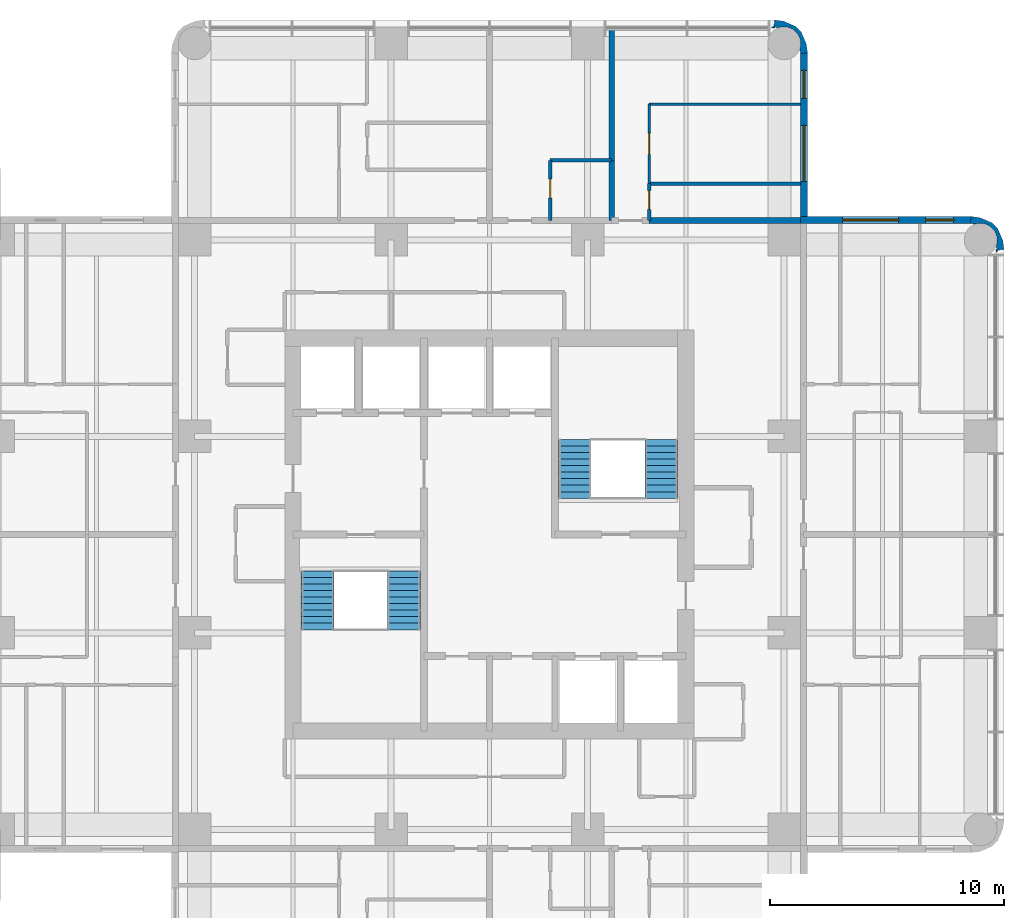
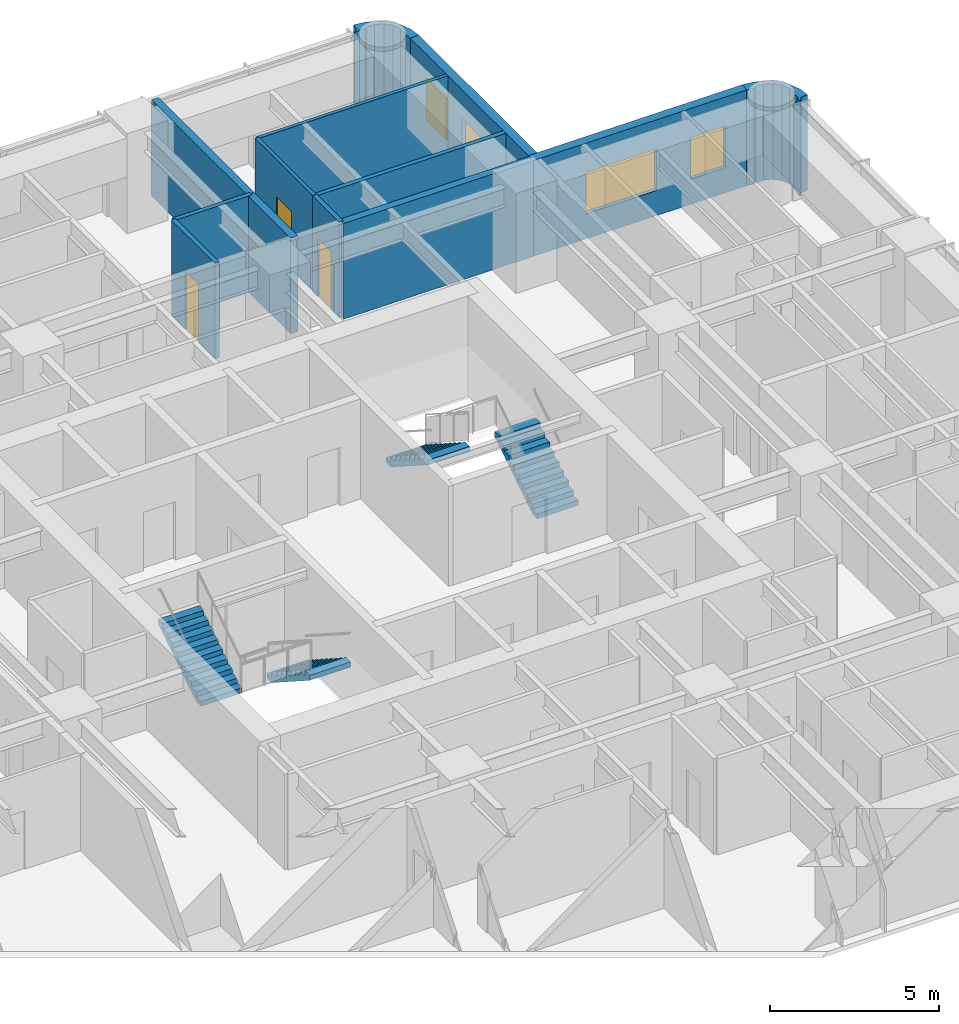
# One storey, part 10 of 11: 13 walls, 4 stair flights, 4 windows, 3 doors, 7 openings, 2 elements without a shape of their own.
"""IFC4 building model written with IfcOpenShell, lengths in metres."""

from ifc_helpers import new_model, si_unit, direction, frame, frame_2d, origin, place, context, subcontext, project, spatial, polyline, rectangle, outline, extrude, material, layer, layer_set, type_object, element, fill, aggregate, save


model = new_model("IFC4")

# Units and contexts
model_context = context("Model", 3, precision=1e-05, world=origin(), true_north=direction((0.0, 1.0)))
body_context = subcontext(model_context, "Body", "Model", "MODEL_VIEW")
ifc_project = project(units=[si_unit("LENGTHUNIT", "METRE"), si_unit("AREAUNIT", "SQUARE_METRE"), si_unit("VOLUMEUNIT", "CUBIC_METRE"), si_unit("PLANEANGLEUNIT", "RADIAN"), si_unit("MASSUNIT", "GRAM", prefix="KILO")], contexts=[model_context])

# Site, building, storey
site_placement = place(None, origin())
site = spatial("IfcSite", under=ifc_project, at=site_placement, CompositionType="ELEMENT")
building_placement = place(site_placement, origin())
building = spatial("IfcBuilding", under=site, at=building_placement, Name="Torre Alcanfor", CompositionType="ELEMENT")
storey_placement = place(building_placement, frame((0.0, 0.0, 201.300048828125)))
storey = spatial("IfcBuildingStorey", under=building, at=storey_placement, Name="L52", CompositionType="ELEMENT", Elevation=201.300048828125)

# Walls
ifc_material_1 = material(Name="Concrete block masonry, hollow blocks NMX-C-404 9 MPa", Category="masonry")
ifc_layer_1 = layer(ifc_material_1, 0.25)
ifc_layer_set_1 = layer_set([ifc_layer_1], Name="Apartment entrance wall 250 EI 60")
wall_type_1 = type_object("IfcWallType", Name="Apartment entrance wall 250 EI 60", PredefinedType="PARTITIONING", material=ifc_layer_set_1)
wall_1_placement = place(storey_placement, frame((36.22900390625, 42.824951171875, 0.0), z_axis=(0.0, 0.0, 1.0), x_axis=(1.0, 0.0, 0.0)))
element("IfcWall", 1, at=wall_1_placement, inside=storey, type_object=wall_type_1, Name="Partition L52-CORR / L52-N2B-BATH", PredefinedType="PARTITIONING", context=body_context, shape_type="SweptSolid", body=[
    extrude(rectangle(XDim=6.470947265625, YDim=0.25, at=frame_2d((3.2353515625, 0.0))), origin(), (0.0, 0.0, 1.0), 3.449951171875),
])
ifc_material_2 = material(Name="Gypsum board on steel studs", Category="steel")
ifc_layer_2 = layer(ifc_material_2, 0.1201171875)
ifc_layer_set_2 = layer_set([ifc_layer_2], Name="Apartment partition 120")
wall_type_2 = type_object("IfcWallType", Name="Apartment partition 120", PredefinedType="PARTITIONING", material=ifc_layer_set_2)
wall_2_placement = place(storey_placement, frame((42.699951171875, 47.800048828125, 0.0), z_axis=(0.0, 0.0, 1.0), x_axis=(-1.0, 0.0, 0.0)))
element("IfcWall", 2, at=wall_2_placement, inside=storey, type_object=wall_type_2, Name="Partition L52-N2B-LIVING / L52-N2B-MASTER", PredefinedType="PARTITIONING", context=body_context, shape_type="SweptSolid", body=[
    extrude(rectangle(XDim=6.470947265625, YDim=0.1201171875, at=frame_2d((3.2353515625, 0.0))), origin(), (0.0, 0.0, 1.0), 3.449951171875),
])

# Wall, opening, door
wall_3_placement = place(storey_placement, frame((36.22900390625, 47.800048828125, 0.0), z_axis=(0.0, 0.0, 1.0), x_axis=(0.0, -1.0, 0.0)))
wall_3 = element("IfcWall", 3, at=wall_3_placement, inside=storey, type_object=wall_type_2, Name="Partition L52-N2B-LIVING / L52-N2B-MASTER", PredefinedType="PARTITIONING", context=body_context, shape_type="SweptSolid", body=[
    extrude(rectangle(XDim=3.400146484375, YDim=0.1201171875, at=frame_2d((1.7001953125, 0.0))), origin(), (0.0, 0.0, 1.0), 3.449951171875),
])
opening_1_placement = place(wall_3_placement, frame((1.25, 0.0, 0.0)))
opening_1 = element("IfcOpeningElement", 4, at=opening_1_placement, cuts=wall_3, Name="Opening D-R1", PredefinedType="OPENING", context=body_context, shape_type="SweptSolid", body=[
    extrude(rectangle(XDim=0.89990234375, YDim=2.10009765625, at=frame_2d((0.449951171875, 1.050048828125))), frame((0.0, 0.070068359375, 0.0), z_axis=(0.0, -1.0, 0.0), x_axis=(1.0, 0.0, 0.0)), (0.0, 0.0, 1.0), 0.14013671875),
])
ifc_material_3 = material(Name="Timber", Category="wood")
door_type_1 = type_object("IfcDoorType", Name="Internal door 900x2100", OperationType="SINGLE_SWING_LEFT", PredefinedType="DOOR", material=ifc_material_3)
door_1_placement = place(opening_1_placement, origin())
door_1 = element("IfcDoor", 5, at=door_1_placement, inside=storey, type_object=door_type_1, Name="Door L52-N2B master", OperationType="SINGLE_SWING_LEFT", OverallHeight=2.10009765625, OverallWidth=0.89990234375, PredefinedType="DOOR", context=body_context, shape_type="SweptSolid", body=[
    extrude(rectangle(XDim=0.89990234375, YDim=2.10009765625, at=frame_2d((0.449951171875, 1.050048828125))), frame((0.0, 0.02490234375, 0.0), z_axis=(0.0, -1.0, 0.0), x_axis=(1.0, 0.0, 0.0)), (0.0, 0.0, 1.0), 0.050048828125),
])
fill(opening_1, door_1)

# Wall, openings, windows
ifc_material_4 = material(Name="Limestone cladding", Category="masonry")
ifc_layer_3 = layer(ifc_material_4, 0.0400390625, Name="Facing")
ifc_material_5 = material(Name="Ventilated air cavity")
ifc_layer_4 = layer(ifc_material_5, 0.02001953125, ventilated=True, Name="Ventilated joint")
ifc_material_6 = material(Name="Mineral wool insulation", Category="insulation")
ifc_layer_5 = layer(ifc_material_6, 0.10009765625, Name="Insulation")
ifc_material_7 = material(Name="Concrete f'c 35 MPa", Category="concrete")
ifc_layer_6 = layer(ifc_material_7, 0.139892578125, Name="Backing")
ifc_layer_set_3 = layer_set([ifc_layer_3, ifc_layer_4, ifc_layer_5, ifc_layer_6], Name="External wall stone-clad 300")
wall_type_3 = type_object("IfcWallType", Name="External wall stone-clad 300", PredefinedType="SOLIDWALL", material=ifc_layer_set_3)
wall_4_placement = place(storey_placement, frame((50.0, 42.85009765625, 0.0), z_axis=(0.0, 0.0, 1.0), x_axis=(-1.0, 0.0, 0.0)))
wall_4 = element("IfcWall", 6, at=wall_4_placement, inside=storey, type_object=wall_type_3, Name="External wall L52 9", PredefinedType="SOLIDWALL", context=body_context, shape_type="SweptSolid", body=[
    extrude(rectangle(XDim=7.300048828125, YDim=0.300048828125, at=frame_2d((3.64990234375, 0.0))), origin(), (0.0, 0.0, 1.0), 3.449951171875),
])
opening_2_placement = place(wall_4_placement, frame((3.10009765625, 0.0, 0.89990234375)))
opening_2 = element("IfcOpeningElement", 7, at=opening_2_placement, cuts=wall_4, Name="Opening W1", PredefinedType="OPENING", context=body_context, shape_type="SweptSolid", body=[
    extrude(rectangle(XDim=2.39990234375, YDim=1.5, at=frame_2d((1.199951171875, 0.75))), frame((0.0, 0.159912109375, 0.0), z_axis=(0.0, -1.0, 0.0), x_axis=(1.0, 0.0, 0.0)), (0.0, 0.0, 1.0), 0.320068359375),
])
opening_3_placement = place(wall_4_placement, frame((0.75, 0.0, 0.89990234375)))
opening_3 = element("IfcOpeningElement", 8, at=opening_3_placement, cuts=wall_4, Name="Opening W4", PredefinedType="OPENING", context=body_context, shape_type="SweptSolid", body=[
    extrude(rectangle(XDim=1.199951171875, YDim=1.5, at=frame_2d((0.60009765625, 0.75))), frame((0.0, 0.159912109375, 0.0), z_axis=(0.0, -1.0, 0.0), x_axis=(1.0, 0.0, 0.0)), (0.0, 0.0, 1.0), 0.320068359375),
])
ifc_material_8 = material(Name="Aluminium frame with clear double glazing", Category="aluminium")
window_type_1 = type_object("IfcWindowType", Name="Window bedroom 1200x1500", PartitioningType="SINGLE_PANEL", PredefinedType="WINDOW", material=ifc_material_8)
window_1_placement = place(opening_3_placement, origin())
window_1 = element("IfcWindow", 9, at=window_1_placement, inside=storey, type_object=window_type_1, Name="Window W4 L52-E1", OverallHeight=1.5, OverallWidth=1.199951171875, PartitioningType="SINGLE_PANEL", PredefinedType="WINDOW", context=body_context, shape_type="SweptSolid", body=[
    extrude(rectangle(XDim=1.199951171875, YDim=1.5, at=frame_2d((0.60009765625, 0.75))), frame((0.0, 0.030029296875, 0.0), z_axis=(0.0, -1.0, 0.0), x_axis=(1.0, 0.0, 0.0)), (0.0, 0.0, 1.0), 0.06005859375),
])
fill(opening_3, window_1)
ifc_material_9 = material(Name="Aluminium frame with clear double glazing", Category="aluminium")
window_type_2 = type_object("IfcWindowType", Name="Window bedroom 2400x1500", PartitioningType="SINGLE_PANEL", PredefinedType="WINDOW", material=ifc_material_9)
window_2_placement = place(opening_2_placement, origin())
window_2 = element("IfcWindow", 10, at=window_2_placement, inside=storey, type_object=window_type_2, Name="Window W1 L52-E1", OverallHeight=1.5, OverallWidth=2.39990234375, PartitioningType="SINGLE_PANEL", PredefinedType="WINDOW", context=body_context, shape_type="SweptSolid", body=[
    extrude(rectangle(XDim=2.39990234375, YDim=1.5, at=frame_2d((1.199951171875, 0.75))), frame((0.0, 0.030029296875, 0.0), z_axis=(0.0, -1.0, 0.0), x_axis=(1.0, 0.0, 0.0)), (0.0, 0.0, 1.0), 0.06005859375),
])
fill(opening_2, window_2)

wall_5_placement = place(storey_placement, frame((42.85009765625, 43.0, 0.0), z_axis=(0.0, 0.0, 1.0), x_axis=(0.0, 1.0, 0.0)))
wall_5 = element("IfcWall", 11, at=wall_5_placement, inside=storey, type_object=wall_type_3, Name="External wall L52 10", PredefinedType="SOLIDWALL", context=body_context, shape_type="SweptSolid", body=[
    extrude(rectangle(XDim=7.0, YDim=0.300048828125, at=frame_2d((3.5, 0.0))), origin(), (0.0, 0.0, 1.0), 3.449951171875),
])
opening_4_placement = place(wall_5_placement, frame((1.5, 0.0, 0.89990234375)))
opening_4 = element("IfcOpeningElement", 12, at=opening_4_placement, cuts=wall_5, Name="Opening W1", PredefinedType="OPENING", context=body_context, shape_type="SweptSolid", body=[
    extrude(rectangle(XDim=2.39990234375, YDim=1.5, at=frame_2d((1.199951171875, 0.75))), frame((0.0, 0.159912109375, 0.0), z_axis=(0.0, -1.0, 0.0), x_axis=(1.0, 0.0, 0.0)), (0.0, 0.0, 1.0), 0.320068359375),
])
opening_5_placement = place(wall_5_placement, frame((5.050048828125, 0.0, 0.89990234375)))
opening_5 = element("IfcOpeningElement", 13, at=opening_5_placement, cuts=wall_5, Name="Opening W4", PredefinedType="OPENING", context=body_context, shape_type="SweptSolid", body=[
    extrude(rectangle(XDim=1.199951171875, YDim=1.5, at=frame_2d((0.60009765625, 0.75))), frame((0.0, 0.159912109375, 0.0), z_axis=(0.0, -1.0, 0.0), x_axis=(1.0, 0.0, 0.0)), (0.0, 0.0, 1.0), 0.320068359375),
])
window_3_placement = place(opening_5_placement, origin())
window_3 = element("IfcWindow", 14, at=window_3_placement, inside=storey, type_object=window_type_1, Name="Window W4 L52-N2", OverallHeight=1.5, OverallWidth=1.199951171875, PartitioningType="SINGLE_PANEL", PredefinedType="WINDOW", context=body_context, shape_type="SweptSolid", body=[
    extrude(rectangle(XDim=1.199951171875, YDim=1.5, at=frame_2d((0.60009765625, 0.75))), frame((0.0, 0.030029296875, 0.0), z_axis=(0.0, -1.0, 0.0), x_axis=(1.0, 0.0, 0.0)), (0.0, 0.0, 1.0), 0.06005859375),
])
fill(opening_5, window_3)
window_4_placement = place(opening_4_placement, origin())
window_4 = element("IfcWindow", 15, at=window_4_placement, inside=storey, type_object=window_type_2, Name="Window W1 L52-N2", OverallHeight=1.5, OverallWidth=2.39990234375, PartitioningType="SINGLE_PANEL", PredefinedType="WINDOW", context=body_context, shape_type="SweptSolid", body=[
    extrude(rectangle(XDim=2.39990234375, YDim=1.5, at=frame_2d((1.199951171875, 0.75))), frame((0.0, 0.030029296875, 0.0), z_axis=(0.0, -1.0, 0.0), x_axis=(1.0, 0.0, 0.0)), (0.0, 0.0, 1.0), 0.06005859375),
])
fill(opening_4, window_4)

# Walls
ifc_material_10 = material(Name="Concrete block masonry, hollow blocks NMX-C-404 9 MPa", Category="masonry")
ifc_layer_7 = layer(ifc_material_10, 0.25)
ifc_layer_set_4 = layer_set([ifc_layer_7], Name="Party wall 250 EI 60")
wall_type_4 = type_object("IfcWallType", Name="Party wall 250 EI 60", PredefinedType="PARTITIONING", material=ifc_layer_set_4)
wall_6_placement = place(storey_placement, frame((34.62890625, 51.050048828125, 0.0), z_axis=(0.0, 0.0, 1.0), x_axis=(0.0, -1.0, 0.0)))
element("IfcWall", 16, at=wall_6_placement, inside=storey, type_object=wall_type_4, Name="Partition L52-N2A-STUDIO / L52-N2B-LIVING", PredefinedType="PARTITIONING", context=body_context, shape_type="SweptSolid", body=[
    extrude(rectangle(XDim=5.650146484375, YDim=0.25, at=frame_2d((2.8251953125, 0.0))), origin(), (0.0, 0.0, 1.0), 3.449951171875),
])
wall_7_placement = place(storey_placement, frame((34.62890625, 45.39990234375, 0.0), z_axis=(0.0, 0.0, 1.0), x_axis=(0.0, -1.0, 0.0)))
element("IfcWall", 17, at=wall_7_placement, inside=storey, type_object=wall_type_4, Name="Partition L52-N2A-BATH / L52-N2B-LIVING", PredefinedType="PARTITIONING", context=body_context, shape_type="SweptSolid", body=[
    extrude(rectangle(XDim=2.574951171875, YDim=0.25, at=frame_2d((1.28759765625, 0.0))), origin(), (0.0, 0.0, 1.0), 3.449951171875),
])
ifc_layer_8 = layer(ifc_material_4, 0.0400390625, Name="Facing")
ifc_layer_9 = layer(ifc_material_5, 0.02001953125, ventilated=True, Name="Ventilated joint")
ifc_layer_10 = layer(ifc_material_6, 0.10009765625, Name="Insulation")
ifc_layer_11 = layer(ifc_material_7, 0.139892578125, Name="Backing")
ifc_layer_set_5 = layer_set([ifc_layer_8, ifc_layer_9, ifc_layer_10, ifc_layer_11], Name="Rounded corner pier stone-clad 300")
wall_type_5 = type_object("IfcWallType", Name="Rounded corner pier stone-clad 300", PredefinedType="SOLIDWALL", material=ifc_layer_set_5)
wall_8_placement = place(storey_placement, frame((50.98815184, 41.487674505, 0.0), z_axis=(0.0, 0.0, 1.0), x_axis=(0.898030234854, 0.439933741929, 0.0)))
element("IfcWall", 18, at=wall_8_placement, inside=storey, type_object=wall_type_5, Name="Corner pier L52 18", PredefinedType="SOLIDWALL", context=body_context, shape_type="SweptSolid", body=[
    extrude(outline(polyline([(0.13762845900144902, -0.0395605783475044), (0.18185793649134802, -0.00033087416050568697), (0.41922313919285215, -0.08018355093564442), (0.535860291835806, 0.2661211239178742), (0.5587746083679793, 0.6308813409414961), (0.5545700157158291, 0.6511558966825934), (0.5663920082639611, 0.8356681075750403), (0.45545119814889223, 1.159160361177863), (0.33312688681130387, 1.297925592490813), (0.32402252373636403, 1.3165225487705126), (0.08234923743790223, 1.5906923948786469), (-0.22206721491752535, 1.7928353560160377), (-0.38958661601048106, 1.540782159618673), (-0.3718277173231749, 1.5320822980229156), (-0.19464371431186422, 1.4142897687749243), (-0.11970407362674929, 1.4096575385515544), (0.13067447329798665, 1.2870002306212465), (0.31526160288378063, 1.0777694581339308), (0.4057356995697948, 0.8140544036891404), (0.38812563637514036, 0.5355946934281371), (0.26546832844483254, 0.28521614650340116), (0.2089867161004748, 0.23540500505176065), (0.14757776297591008, 0.05289210976982966), (0.10504410439149783, 0.07372881532016215), (0.03190082356790798, -0.07557748105089318), (0.13762845900144902, -0.0395605783475044)])), origin(), (0.0, 0.0, 1.0), 3.449951171875),
])
wall_9_placement = place(storey_placement, frame((42.724211819, 50.110315272, 0.0), z_axis=(0.0, 0.0, 1.0), x_axis=(0.439933741929, 0.898030234854, 0.0)))
element("IfcWall", 19, at=wall_9_placement, inside=storey, type_object=wall_type_5, Name="Corner pier L52 19", PredefinedType="SOLIDWALL", context=body_context, shape_type="SweptSolid", body=[
    extrude(outline(polyline([(-0.14525732426811072, -0.04414433895897353), (0.0222620768248451, -0.29619753535633836), (0.3266785291802725, -0.09405457421894756), (0.5683518154787345, 0.1801152718891868), (0.5774561785536743, 0.19871222816888634), (0.6997804898912626, 0.33747745948183633), (0.8107213000063315, 0.6609697130846591), (0.7988993074581994, 0.8454819239771059), (0.8031039001103497, 0.8657564797182034), (0.7801895835781762, 1.2305166967418253), (0.6635524309352225, 1.5768213715953436), (0.42618722823371835, 1.496968694820205), (0.38195775074381944, 1.5361983990072037), (0.2762301153102783, 1.5722153017105926), (0.3493733961338682, 1.4229090053395372), (0.39190705471828047, 1.4437457108898697), (0.45331600784284515, 1.2612328156079387), (0.5097976201872029, 1.2114216741562982), (0.6324549281175107, 0.9610431272315622), (0.6500649913121652, 0.6825834169705589), (0.559590894626151, 0.4188683625257686), (0.37500376504035704, 0.20963759003845278), (0.1246252181156211, 0.08698028210814499), (0.04968557743050611, 0.08234805188477495), (-0.12749842558080457, -0.035444477363216154), (-0.14525732426811072, -0.04414433895897353)])), origin(), (0.0, 0.0, 1.0), 3.449951171875),
])
ifc_material_11 = material(Name="Cement board on steel studs", Category="steel")
ifc_layer_12 = layer(ifc_material_11, 0.14990234375)
ifc_layer_set_6 = layer_set([ifc_layer_12], Name="Wet area partition 150")
wall_type_6 = type_object("IfcWallType", Name="Wet area partition 150", PredefinedType="PARTITIONING", material=ifc_layer_set_6)
wall_10_placement = place(storey_placement, frame((34.62890625, 45.39990234375, 0.0), z_axis=(0.0, 0.0, 1.0), x_axis=(-1.0, 0.0, 0.0)))
element("IfcWall", 20, at=wall_10_placement, inside=storey, type_object=wall_type_6, Name="Partition L52-N2A-STUDIO / L52-N2A-BATH", PredefinedType="PARTITIONING", context=body_context, shape_type="SweptSolid", body=[
    extrude(rectangle(XDim=2.62890625, YDim=0.14990234375, at=frame_2d((1.314453125, 0.0))), origin(), (0.0, 0.0, 1.0), 3.449951171875),
])

# Wall, opening, door
wall_11_placement = place(storey_placement, frame((32.0, 45.39990234375, 0.0), z_axis=(0.0, 0.0, 1.0), x_axis=(0.0, -1.0, 0.0)))
wall_11 = element("IfcWall", 21, at=wall_11_placement, inside=storey, type_object=wall_type_6, Name="Partition L52-N2A-STUDIO / L52-N2A-BATH", PredefinedType="PARTITIONING", context=body_context, shape_type="SweptSolid", body=[
    extrude(rectangle(XDim=2.574951171875, YDim=0.14990234375, at=frame_2d((1.28759765625, 0.0))), origin(), (0.0, 0.0, 1.0), 3.449951171875),
])
opening_6_placement = place(wall_11_placement, frame((0.800048828125, 0.0, 0.0)))
opening_6 = element("IfcOpeningElement", 22, at=opening_6_placement, cuts=wall_11, Name="Opening D-R2", PredefinedType="OPENING", context=body_context, shape_type="SweptSolid", body=[
    extrude(rectangle(XDim=0.800048828125, YDim=2.10009765625, at=frame_2d((0.39990234375, 1.050048828125))), frame((0.0, 0.0849609375, 0.0), z_axis=(0.0, -1.0, 0.0), x_axis=(1.0, 0.0, 0.0)), (0.0, 0.0, 1.0), 0.169921875),
])
ifc_material_12 = material(Name="Timber", Category="wood")
door_type_2 = type_object("IfcDoorType", Name="Bathroom door 800x2100", OperationType="SINGLE_SWING_LEFT", PredefinedType="DOOR", material=ifc_material_12)
door_2_placement = place(opening_6_placement, origin())
door_2 = element("IfcDoor", 23, at=door_2_placement, inside=storey, type_object=door_type_2, Name="Door L52-N2A bath", OperationType="SINGLE_SWING_LEFT", OverallHeight=2.10009765625, OverallWidth=0.800048828125, PredefinedType="DOOR", context=body_context, shape_type="SweptSolid", body=[
    extrude(rectangle(XDim=0.800048828125, YDim=2.10009765625, at=frame_2d((0.39990234375, 1.050048828125))), frame((0.0, 0.02490234375, 0.0), z_axis=(0.0, -1.0, 0.0), x_axis=(1.0, 0.0, 0.0)), (0.0, 0.0, 1.0), 0.050048828125),
])
fill(opening_6, door_2)

wall_12_placement = place(storey_placement, frame((36.22900390625, 44.39990234375, 0.0), z_axis=(0.0, 0.0, 1.0), x_axis=(0.0, -1.0, 0.0)))
wall_12 = element("IfcWall", 24, at=wall_12_placement, inside=storey, type_object=wall_type_6, Name="Partition L52-N2B-LIVING / L52-N2B-BATH", PredefinedType="PARTITIONING", context=body_context, shape_type="SweptSolid", body=[
    extrude(rectangle(XDim=1.574951171875, YDim=0.14990234375, at=frame_2d((0.78759765625, 0.0))), origin(), (0.0, 0.0, 1.0), 3.449951171875),
])
opening_7_placement = place(wall_12_placement, frame((0.300048828125, 0.0, 0.0)))
opening_7 = element("IfcOpeningElement", 25, at=opening_7_placement, cuts=wall_12, Name="Opening D-R2", PredefinedType="OPENING", context=body_context, shape_type="SweptSolid", body=[
    extrude(rectangle(XDim=0.800048828125, YDim=2.10009765625, at=frame_2d((0.39990234375, 1.050048828125))), frame((0.0, 0.0849609375, 0.0), z_axis=(0.0, -1.0, 0.0), x_axis=(1.0, 0.0, 0.0)), (0.0, 0.0, 1.0), 0.169921875),
])
door_3_placement = place(opening_7_placement, origin())
door_3 = element("IfcDoor", 26, at=door_3_placement, inside=storey, type_object=door_type_2, Name="Door L52-N2B bath", OperationType="SINGLE_SWING_LEFT", OverallHeight=2.10009765625, OverallWidth=0.800048828125, PredefinedType="DOOR", context=body_context, shape_type="SweptSolid", body=[
    extrude(rectangle(XDim=0.800048828125, YDim=2.10009765625, at=frame_2d((0.39990234375, 1.050048828125))), frame((0.0, 0.02490234375, 0.0), z_axis=(0.0, -1.0, 0.0), x_axis=(1.0, 0.0, 0.0)), (0.0, 0.0, 1.0), 0.050048828125),
])
fill(opening_7, door_3)

# Wall
wall_13_placement = place(storey_placement, frame((36.22900390625, 44.39990234375, 0.0), z_axis=(0.0, 0.0, 1.0), x_axis=(1.0, 0.0, 0.0)))
element("IfcWall", 27, at=wall_13_placement, inside=storey, type_object=wall_type_6, Name="Partition L52-N2B-BATH / L52-N2B-MASTER", PredefinedType="PARTITIONING", context=body_context, shape_type="SweptSolid", body=[
    extrude(rectangle(XDim=6.470947265625, YDim=0.14990234375, at=frame_2d((3.2353515625, 0.0))), origin(), (0.0, 0.0, 1.0), 3.449951171875),
])

# Stair, stair flights
ifc_material_13 = material(Name="Concrete f'c 35 MPa", Category="concrete")
stair_type_1 = type_object("IfcStairType", Name="Exit stair S1 1400 wide", PredefinedType="HALF_TURN_STAIR", material=ifc_material_13)
stair_1_placement = place(storey_placement, origin())
stair_1 = element("IfcStair", 28, at=stair_1_placement, inside=storey, type_object=stair_type_1, Name="Stair S1 L52 to L53", PredefinedType="HALF_TURN_STAIR")
ifc_material_14 = material(Name="Concrete f'c 35 MPa", Category="concrete")
stair_flight_type = type_object("IfcStairFlightType", Name="Stair flight 1400", PredefinedType="STRAIGHT", material=ifc_material_14)
stair_flight_1_placement = place(storey_placement, frame((25.75, 27.85009765625, 0.0), z_axis=(0.0, 0.0, 1.0), x_axis=(0.0, -1.0, 0.0)))
stair_flight_1 = element("IfcStairFlight", 29, at=stair_flight_1_placement, type_object=stair_flight_type, Name="S1 flight 1", NumberOfRisers=10, NumberOfTreads=9, PredefinedType="STRAIGHT", RiserHeight=0.18, TreadLength=0.28, context=body_context, shape_type="SweptSolid", body=[
    extrude(outline(polyline([(0.0, 0.0), (0.0, 0.179931640625), (0.280029296875, 0.179931640625), (0.280029296875, 0.360107421875), (0.56005859375, 0.360107421875), (0.56005859375, 0.5400390625), (0.840087890625, 0.5400390625), (0.840087890625, 0.719970703125), (1.1201171875, 0.719970703125), (1.1201171875, 0.89990234375), (1.39990234375, 0.89990234375), (1.39990234375, 1.080078125), (1.679931640625, 1.080078125), (1.679931640625, 1.260009765625), (1.9599609375, 1.260009765625), (1.9599609375, 1.43994140625), (2.239990234375, 1.43994140625), (2.239990234375, 1.6201171875), (2.52001953125, 1.6201171875), (2.52001953125, 1.800048828125), (2.52001953125, 1.44189453125), (0.277099609375, 0.0), (0.0, 0.0)])), frame((0.0, 0.699951171875, 0.0), z_axis=(0.0, -1.0, 0.0), x_axis=(1.0, 0.0, 0.0)), (0.0, 0.0, 1.0), 1.39990234375),
])
stair_flight_2_placement = place(storey_placement, frame((22.050048828125, 25.330078125, 1.800048828125), z_axis=(0.0, 0.0, 1.0), x_axis=(0.0, 1.0, 0.0)))
stair_flight_2 = element("IfcStairFlight", 30, at=stair_flight_2_placement, type_object=stair_flight_type, Name="S1 flight 2", NumberOfRisers=10, NumberOfTreads=9, PredefinedType="STRAIGHT", RiserHeight=0.18, TreadLength=0.28, context=body_context, shape_type="SweptSolid", body=[
    extrude(outline(polyline([(0.0, 0.0), (0.0, 0.179931640625), (0.280029296875, 0.179931640625), (0.280029296875, 0.360107421875), (0.56005859375, 0.360107421875), (0.56005859375, 0.5400390625), (0.840087890625, 0.5400390625), (0.840087890625, 0.719970703125), (1.1201171875, 0.719970703125), (1.1201171875, 0.89990234375), (1.39990234375, 0.89990234375), (1.39990234375, 1.080078125), (1.679931640625, 1.080078125), (1.679931640625, 1.260009765625), (1.9599609375, 1.260009765625), (1.9599609375, 1.43994140625), (2.239990234375, 1.43994140625), (2.239990234375, 1.6201171875), (2.52001953125, 1.6201171875), (2.52001953125, 1.800048828125), (2.52001953125, 1.44189453125), (0.277099609375, 0.0), (0.0, 0.0)])), frame((0.0, 0.699951171875, 0.0), z_axis=(0.0, -1.0, 0.0), x_axis=(1.0, 0.0, 0.0)), (0.0, 0.0, 1.0), 1.39990234375),
])
aggregate(stair_1, [stair_flight_1, stair_flight_2])

ifc_material_15 = material(Name="Concrete f'c 35 MPa", Category="concrete")
stair_type_2 = type_object("IfcStairType", Name="Exit stair S2 1400 wide", PredefinedType="HALF_TURN_STAIR", material=ifc_material_15)
stair_2_placement = place(storey_placement, origin())
stair_2 = element("IfcStair", 31, at=stair_2_placement, inside=storey, type_object=stair_type_2, Name="Stair S2 L52 to L53", PredefinedType="HALF_TURN_STAIR")
stair_flight_3_placement = place(storey_placement, frame((36.75, 30.949951171875, 0.0), z_axis=(0.0, 0.0, 1.0), x_axis=(0.0, 1.0, 0.0)))
stair_flight_3 = element("IfcStairFlight", 32, at=stair_flight_3_placement, type_object=stair_flight_type, Name="S2 flight 1", NumberOfRisers=10, NumberOfTreads=9, PredefinedType="STRAIGHT", RiserHeight=0.18, TreadLength=0.28, context=body_context, shape_type="SweptSolid", body=[
    extrude(outline(polyline([(0.0, 0.0), (0.0, 0.179931640625), (0.280029296875, 0.179931640625), (0.280029296875, 0.360107421875), (0.56005859375, 0.360107421875), (0.56005859375, 0.5400390625), (0.840087890625, 0.5400390625), (0.840087890625, 0.719970703125), (1.1201171875, 0.719970703125), (1.1201171875, 0.89990234375), (1.39990234375, 0.89990234375), (1.39990234375, 1.080078125), (1.679931640625, 1.080078125), (1.679931640625, 1.260009765625), (1.9599609375, 1.260009765625), (1.9599609375, 1.43994140625), (2.239990234375, 1.43994140625), (2.239990234375, 1.6201171875), (2.52001953125, 1.6201171875), (2.52001953125, 1.800048828125), (2.52001953125, 1.44189453125), (0.277099609375, 0.0), (0.0, 0.0)])), frame((0.0, 0.699951171875, 0.0), z_axis=(0.0, -1.0, 0.0), x_axis=(1.0, 0.0, 0.0)), (0.0, 0.0, 1.0), 1.39990234375),
])
stair_flight_4_placement = place(storey_placement, frame((33.050048828125, 33.469970703125, 1.800048828125), z_axis=(0.0, 0.0, 1.0), x_axis=(0.0, -1.0, 0.0)))
stair_flight_4 = element("IfcStairFlight", 33, at=stair_flight_4_placement, type_object=stair_flight_type, Name="S2 flight 2", NumberOfRisers=10, NumberOfTreads=9, PredefinedType="STRAIGHT", RiserHeight=0.18, TreadLength=0.28, context=body_context, shape_type="SweptSolid", body=[
    extrude(outline(polyline([(0.0, 0.0), (0.0, 0.179931640625), (0.280029296875, 0.179931640625), (0.280029296875, 0.360107421875), (0.56005859375, 0.360107421875), (0.56005859375, 0.5400390625), (0.840087890625, 0.5400390625), (0.840087890625, 0.719970703125), (1.1201171875, 0.719970703125), (1.1201171875, 0.89990234375), (1.39990234375, 0.89990234375), (1.39990234375, 1.080078125), (1.679931640625, 1.080078125), (1.679931640625, 1.260009765625), (1.9599609375, 1.260009765625), (1.9599609375, 1.43994140625), (2.239990234375, 1.43994140625), (2.239990234375, 1.6201171875), (2.52001953125, 1.6201171875), (2.52001953125, 1.800048828125), (2.52001953125, 1.44189453125), (0.277099609375, 0.0), (0.0, 0.0)])), frame((0.0, 0.699951171875, 0.0), z_axis=(0.0, -1.0, 0.0), x_axis=(1.0, 0.0, 0.0)), (0.0, 0.0, 1.0), 1.39990234375),
])
aggregate(stair_2, [stair_flight_3, stair_flight_4])

save(model, "model.ifc")
